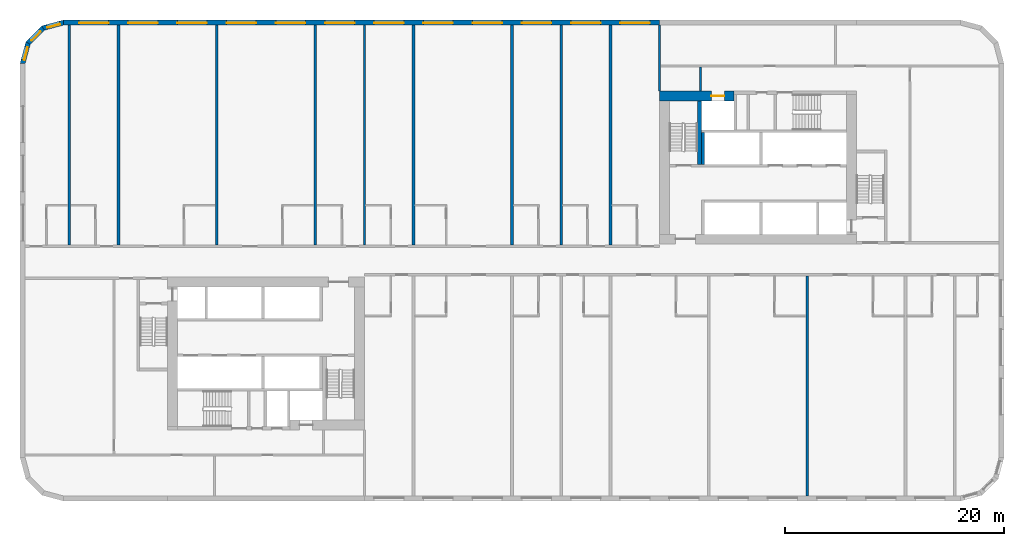
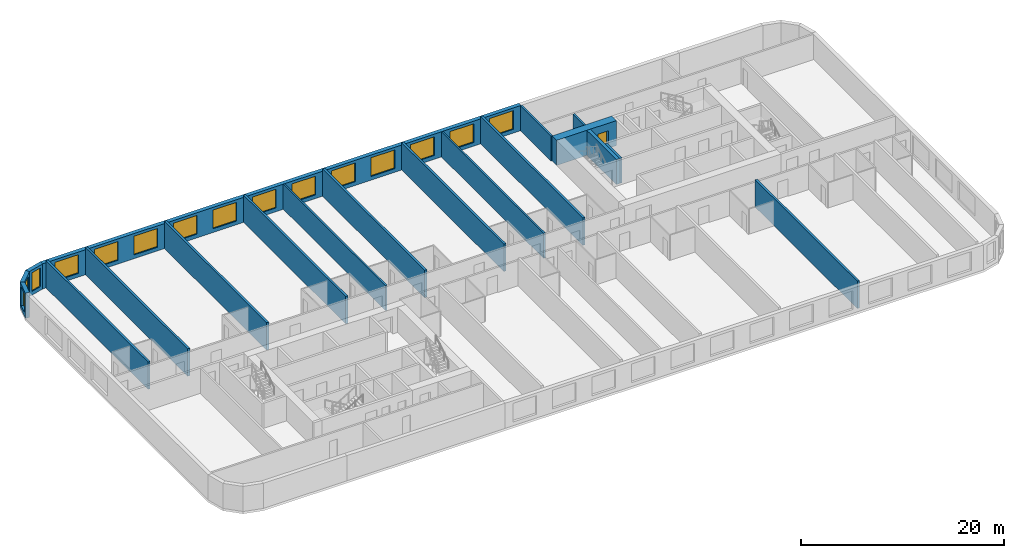
# One storey, part 6 of 12: 19 walls, 15 windows, 1 door, 16 openings.
"""IFC4 building model written with IfcOpenShell, lengths in metres."""

from ifc_helpers import new_model, si_unit, direction, frame, frame_2d, origin, place, context, subcontext, project, spatial, polyline, rectangle, outline, extrude, material, layer, layer_set, type_object, element, fill, save


model = new_model("IFC4")

# Units and contexts
model_context = context("Model", 3, precision=1e-05, world=origin(), true_north=direction((0.0, 1.0)))
body_context = subcontext(model_context, "Body", "Model", "MODEL_VIEW")
ifc_project = project(units=[si_unit("LENGTHUNIT", "METRE"), si_unit("AREAUNIT", "SQUARE_METRE"), si_unit("VOLUMEUNIT", "CUBIC_METRE"), si_unit("PLANEANGLEUNIT", "RADIAN"), si_unit("MASSUNIT", "GRAM", prefix="KILO")], contexts=[model_context])

# Site, building, storey
site_placement = place(None, origin())
site = spatial("IfcSite", under=ifc_project, at=site_placement, CompositionType="ELEMENT")
building_placement = place(site_placement, origin())
building = spatial("IfcBuilding", under=site, at=building_placement, Name="Kajstack Hotel Tower", CompositionType="ELEMENT")
storey_placement = place(building_placement, frame((0.0, 0.0, 66.60009765625)))
storey = spatial("IfcBuildingStorey", under=building, at=storey_placement, Name="L11", CompositionType="ELEMENT", Elevation=66.60009765625)

# Wall, opening, door
ifc_material_1 = material(Name="Concrete C60/75", Category="concrete")
ifc_layer_1 = layer(ifc_material_1, 0.89990234375)
ifc_layer_set_1 = layer_set([ifc_layer_1], Name="Core wall 900")
wall_type_1 = type_object("IfcWallType", Name="Core wall 900", PredefinedType="SHEAR", material=ifc_layer_set_1)
wall_1_placement = place(storey_placement, frame((13.5, 15.050048828125, 0.0), z_axis=(0.0, 0.0, 1.0), x_axis=(1.0, 0.0, 0.0)))
wall_1 = element("IfcWall", 1, at=wall_1_placement, inside=storey, type_object=wall_type_1, Name="Core wall E RS", PredefinedType="SHEAR", context=body_context, shape_type="SweptSolid", body=[
    extrude(rectangle(XDim=6.800048828125, YDim=0.89990234375, at=frame_2d((3.39990234375, 0.0))), origin(), (0.0, 0.0, 1.0), 3.02001953125),
])
opening_1_placement = place(wall_1_placement, frame((4.72509765625, 0.0, 0.0)))
opening_1 = element("IfcOpeningElement", 2, at=opening_1_placement, cuts=wall_1, Name="Opening LD-SV2", PredefinedType="OPENING", context=body_context, shape_type="SweptSolid", body=[
    extrude(rectangle(XDim=1.199951171875, YDim=2.10009765625, at=frame_2d((0.60009765625, 1.050048828125))), frame((0.0, 0.4599609375, 0.0), z_axis=(0.0, -1.0, 0.0), x_axis=(1.0, 0.0, 0.0)), (0.0, 0.0, 1.0), 0.919921875),
])
ifc_material_2 = material(Name="Stainless steel", Category="steel")
door_type = type_object("IfcDoorType", Name="Lift landing door 1200", OperationType="SLIDING_TO_LEFT", PredefinedType="DOOR", material=ifc_material_2)
door_placement = place(opening_1_placement, origin())
door = element("IfcDoor", 3, at=door_placement, inside=storey, type_object=door_type, Name="Landing door SV2", OperationType="SLIDING_TO_LEFT", OverallHeight=2.10009765625, OverallWidth=1.199951171875, PredefinedType="DOOR", context=body_context, shape_type="SweptSolid", body=[
    extrude(rectangle(XDim=1.199951171875, YDim=2.10009765625, at=frame_2d((0.60009765625, 1.050048828125))), frame((0.0, 0.02490234375, 0.0), z_axis=(0.0, -1.0, 0.0), x_axis=(1.0, 0.0, 0.0)), (0.0, 0.0, 1.0), 0.050048828125),
])
fill(opening_1, door)

# Walls
ifc_material_3 = material(Name="Twin-frame gypsum board on steel studs, mineral wool", Category="steel")
ifc_layer_2 = layer(ifc_material_3, 0.199951171875)
ifc_layer_set_2 = layer_set([ifc_layer_2], Name="Demising wall 200")
wall_type_2 = type_object("IfcWallType", Name="Demising wall 200", PredefinedType="PARTITIONING", material=ifc_layer_set_2)
wall_2_placement = place(storey_placement, frame((13.5, 15.5, 0.0), z_axis=(0.0, 0.0, 1.0), x_axis=(0.0, 1.0, 0.0)))
element("IfcWall", 4, at=wall_2_placement, inside=storey, type_object=wall_type_2, Name="G-wall-L11-001", PredefinedType="PARTITIONING", context=body_context, shape_type="SweptSolid", body=[
    extrude(rectangle(XDim=6.050048828125, YDim=0.199951171875, at=frame_2d((3.02490234375, 0.0))), origin(), (0.0, 0.0, 1.0), 3.02001953125),
])
for number, where, z_axis, x_axis, name in (
    (5, (-13.5, 1.39990234375, 0.0), (0.0, 0.0, 1.0), (0.0, 1.0, 0.0), "G-wall-L11-012"),
    (6, (4.5, 1.39990234375, 0.0), (0.0, 0.0, 1.0), (0.0, 1.0, 0.0), "G-wall-L11-019"),
):
    element("IfcWall", number, at=place(storey_placement, frame(where, z_axis=z_axis, x_axis=x_axis)), inside=storey, type_object=wall_type_2, Name=name, PredefinedType="PARTITIONING", context=body_context, shape_type="SweptSolid", body=[
        extrude(rectangle(XDim=20.150146484375, YDim=0.199951171875, at=frame_2d((10.0751953125, 0.0))), origin(), (0.0, 0.0, 1.0), 3.02001953125),
    ])

# Wall, openings, windows
ifc_material_4 = material(Name="Terracotta-faced brick masonry", Category="masonry")
ifc_layer_3 = layer(ifc_material_4, 0.449951171875)
ifc_layer_set_3 = layer_set([ifc_layer_3], Name="EW-TERRA")
wall_type_3 = type_object("IfcWallType", Name="EW-TERRA", PredefinedType="SOLIDWALL", material=ifc_layer_set_3)
wall_3_placement = place(storey_placement, frame((13.5, 21.77490234375, 0.0), z_axis=(0.0, 0.0, 1.0), x_axis=(-1.0, 0.0, 0.0)))
wall_3 = element("IfcWall", 7, at=wall_3_placement, inside=storey, type_object=wall_type_3, Name="E-wall-L11-11-02", PredefinedType="SOLIDWALL", context=body_context, shape_type="SweptSolid", body=[
    extrude(rectangle(XDim=54.5, YDim=0.449951171875, at=frame_2d((27.25, 0.0))), origin(), (0.0, 0.0, 1.0), 3.02001953125),
])
opening_2_placement = place(wall_3_placement, frame((0.89990234375, 0.0, 0.449951171875)))
opening_2 = element("IfcOpeningElement", 8, at=opening_2_placement, cuts=wall_3, Name="Opening W1", PredefinedType="OPENING", context=body_context, shape_type="SweptSolid", body=[
    extrude(rectangle(XDim=2.699951171875, YDim=2.25, at=frame_2d((1.35009765625, 1.125))), frame((0.0, 0.23486328125, 0.0), z_axis=(0.0, -1.0, 0.0), x_axis=(1.0, 0.0, 0.0)), (0.0, 0.0, 1.0), 0.469970703125),
])
opening_3_placement = place(wall_3_placement, frame((5.39990234375, 0.0, 0.449951171875)))
opening_3 = element("IfcOpeningElement", 9, at=opening_3_placement, cuts=wall_3, Name="Opening W1", PredefinedType="OPENING", context=body_context, shape_type="SweptSolid", body=[
    extrude(rectangle(XDim=2.699951171875, YDim=2.25, at=frame_2d((1.35009765625, 1.125))), frame((0.0, 0.23486328125, 0.0), z_axis=(0.0, -1.0, 0.0), x_axis=(1.0, 0.0, 0.0)), (0.0, 0.0, 1.0), 0.469970703125),
])
opening_4_placement = place(wall_3_placement, frame((9.89990234375, 0.0, 0.449951171875)))
opening_4 = element("IfcOpeningElement", 10, at=opening_4_placement, cuts=wall_3, Name="Opening W1", PredefinedType="OPENING", context=body_context, shape_type="SweptSolid", body=[
    extrude(rectangle(XDim=2.699951171875, YDim=2.25, at=frame_2d((1.35009765625, 1.125))), frame((0.0, 0.23486328125, 0.0), z_axis=(0.0, -1.0, 0.0), x_axis=(1.0, 0.0, 0.0)), (0.0, 0.0, 1.0), 0.469970703125),
])
opening_5_placement = place(wall_3_placement, frame((14.39990234375, 0.0, 0.449951171875)))
opening_5 = element("IfcOpeningElement", 11, at=opening_5_placement, cuts=wall_3, Name="Opening W1", PredefinedType="OPENING", context=body_context, shape_type="SweptSolid", body=[
    extrude(rectangle(XDim=2.699951171875, YDim=2.25, at=frame_2d((1.35009765625, 1.125))), frame((0.0, 0.23486328125, 0.0), z_axis=(0.0, -1.0, 0.0), x_axis=(1.0, 0.0, 0.0)), (0.0, 0.0, 1.0), 0.469970703125),
])
opening_6_placement = place(wall_3_placement, frame((18.89990234375, 0.0, 0.449951171875)))
opening_6 = element("IfcOpeningElement", 12, at=opening_6_placement, cuts=wall_3, Name="Opening W1", PredefinedType="OPENING", context=body_context, shape_type="SweptSolid", body=[
    extrude(rectangle(XDim=2.699951171875, YDim=2.25, at=frame_2d((1.35009765625, 1.125))), frame((0.0, 0.23486328125, 0.0), z_axis=(0.0, -1.0, 0.0), x_axis=(1.0, 0.0, 0.0)), (0.0, 0.0, 1.0), 0.469970703125),
])
opening_7_placement = place(wall_3_placement, frame((23.39990234375, 0.0, 0.449951171875)))
opening_7 = element("IfcOpeningElement", 13, at=opening_7_placement, cuts=wall_3, Name="Opening W1", PredefinedType="OPENING", context=body_context, shape_type="SweptSolid", body=[
    extrude(rectangle(XDim=2.699951171875, YDim=2.25, at=frame_2d((1.35009765625, 1.125))), frame((0.0, 0.23486328125, 0.0), z_axis=(0.0, -1.0, 0.0), x_axis=(1.0, 0.0, 0.0)), (0.0, 0.0, 1.0), 0.469970703125),
])
opening_8_placement = place(wall_3_placement, frame((27.89990234375, 0.0, 0.449951171875)))
opening_8 = element("IfcOpeningElement", 14, at=opening_8_placement, cuts=wall_3, Name="Opening W1", PredefinedType="OPENING", context=body_context, shape_type="SweptSolid", body=[
    extrude(rectangle(XDim=2.699951171875, YDim=2.25, at=frame_2d((1.35009765625, 1.125))), frame((0.0, 0.23486328125, 0.0), z_axis=(0.0, -1.0, 0.0), x_axis=(1.0, 0.0, 0.0)), (0.0, 0.0, 1.0), 0.469970703125),
])
opening_9_placement = place(wall_3_placement, frame((32.39990234375, 0.0, 0.449951171875)))
opening_9 = element("IfcOpeningElement", 15, at=opening_9_placement, cuts=wall_3, Name="Opening W1", PredefinedType="OPENING", context=body_context, shape_type="SweptSolid", body=[
    extrude(rectangle(XDim=2.699951171875, YDim=2.25, at=frame_2d((1.35009765625, 1.125))), frame((0.0, 0.23486328125, 0.0), z_axis=(0.0, -1.0, 0.0), x_axis=(1.0, 0.0, 0.0)), (0.0, 0.0, 1.0), 0.469970703125),
])
opening_10_placement = place(wall_3_placement, frame((36.89990234375, 0.0, 0.449951171875)))
opening_10 = element("IfcOpeningElement", 16, at=opening_10_placement, cuts=wall_3, Name="Opening W1", PredefinedType="OPENING", context=body_context, shape_type="SweptSolid", body=[
    extrude(rectangle(XDim=2.699951171875, YDim=2.25, at=frame_2d((1.35009765625, 1.125))), frame((0.0, 0.23486328125, 0.0), z_axis=(0.0, -1.0, 0.0), x_axis=(1.0, 0.0, 0.0)), (0.0, 0.0, 1.0), 0.469970703125),
])
opening_11_placement = place(wall_3_placement, frame((41.39990234375, 0.0, 0.449951171875)))
opening_11 = element("IfcOpeningElement", 17, at=opening_11_placement, cuts=wall_3, Name="Opening W1", PredefinedType="OPENING", context=body_context, shape_type="SweptSolid", body=[
    extrude(rectangle(XDim=2.699951171875, YDim=2.25, at=frame_2d((1.35009765625, 1.125))), frame((0.0, 0.23486328125, 0.0), z_axis=(0.0, -1.0, 0.0), x_axis=(1.0, 0.0, 0.0)), (0.0, 0.0, 1.0), 0.469970703125),
])
opening_12_placement = place(wall_3_placement, frame((45.89990234375, 0.0, 0.449951171875)))
opening_12 = element("IfcOpeningElement", 18, at=opening_12_placement, cuts=wall_3, Name="Opening W1", PredefinedType="OPENING", context=body_context, shape_type="SweptSolid", body=[
    extrude(rectangle(XDim=2.699951171875, YDim=2.25, at=frame_2d((1.35009765625, 1.125))), frame((0.0, 0.23486328125, 0.0), z_axis=(0.0, -1.0, 0.0), x_axis=(1.0, 0.0, 0.0)), (0.0, 0.0, 1.0), 0.469970703125),
])
opening_13_placement = place(wall_3_placement, frame((50.39990234375, 0.0, 0.449951171875)))
opening_13 = element("IfcOpeningElement", 19, at=opening_13_placement, cuts=wall_3, Name="Opening W1", PredefinedType="OPENING", context=body_context, shape_type="SweptSolid", body=[
    extrude(rectangle(XDim=2.699951171875, YDim=2.25, at=frame_2d((1.35009765625, 1.125))), frame((0.0, 0.23486328125, 0.0), z_axis=(0.0, -1.0, 0.0), x_axis=(1.0, 0.0, 0.0)), (0.0, 0.0, 1.0), 0.469970703125),
])
ifc_material_5 = material(Name="Timber-aluminium window, triple glazed", Category="wood")
window_type_1 = type_object("IfcWindowType", Name="WG1", PartitioningType="SINGLE_PANEL", PredefinedType="WINDOW", material=ifc_material_5)
window_1_placement = place(opening_2_placement, origin())
window_1 = element("IfcWindow", 20, at=window_1_placement, inside=storey, type_object=window_type_1, Name="Window W1 L11-11", OverallHeight=2.25, OverallWidth=2.699951171875, PartitioningType="SINGLE_PANEL", PredefinedType="WINDOW", context=body_context, shape_type="SweptSolid", body=[
    extrude(rectangle(XDim=2.699951171875, YDim=2.25, at=frame_2d((1.35009765625, 1.125))), frame((0.0, 0.090087890625, 0.0), z_axis=(0.0, -1.0, 0.0), x_axis=(1.0, 0.0, 0.0)), (0.0, 0.0, 1.0), 0.06005859375),
])
fill(opening_2, window_1)
window_2_placement = place(opening_3_placement, origin())
window_2 = element("IfcWindow", 21, at=window_2_placement, inside=storey, type_object=window_type_1, Name="Window W1 L11-11", OverallHeight=2.25, OverallWidth=2.699951171875, PartitioningType="SINGLE_PANEL", PredefinedType="WINDOW", context=body_context, shape_type="SweptSolid", body=[
    extrude(rectangle(XDim=2.699951171875, YDim=2.25, at=frame_2d((1.35009765625, 1.125))), frame((0.0, 0.090087890625, 0.0), z_axis=(0.0, -1.0, 0.0), x_axis=(1.0, 0.0, 0.0)), (0.0, 0.0, 1.0), 0.06005859375),
])
fill(opening_3, window_2)
window_3_placement = place(opening_4_placement, origin())
window_3 = element("IfcWindow", 22, at=window_3_placement, inside=storey, type_object=window_type_1, Name="Window W1 L11-11", OverallHeight=2.25, OverallWidth=2.699951171875, PartitioningType="SINGLE_PANEL", PredefinedType="WINDOW", context=body_context, shape_type="SweptSolid", body=[
    extrude(rectangle(XDim=2.699951171875, YDim=2.25, at=frame_2d((1.35009765625, 1.125))), frame((0.0, 0.090087890625, 0.0), z_axis=(0.0, -1.0, 0.0), x_axis=(1.0, 0.0, 0.0)), (0.0, 0.0, 1.0), 0.06005859375),
])
fill(opening_4, window_3)
window_4_placement = place(opening_5_placement, origin())
window_4 = element("IfcWindow", 23, at=window_4_placement, inside=storey, type_object=window_type_1, Name="Window W1 L11-11", OverallHeight=2.25, OverallWidth=2.699951171875, PartitioningType="SINGLE_PANEL", PredefinedType="WINDOW", context=body_context, shape_type="SweptSolid", body=[
    extrude(rectangle(XDim=2.699951171875, YDim=2.25, at=frame_2d((1.35009765625, 1.125))), frame((0.0, 0.090087890625, 0.0), z_axis=(0.0, -1.0, 0.0), x_axis=(1.0, 0.0, 0.0)), (0.0, 0.0, 1.0), 0.06005859375),
])
fill(opening_5, window_4)
window_5_placement = place(opening_6_placement, origin())
window_5 = element("IfcWindow", 24, at=window_5_placement, inside=storey, type_object=window_type_1, Name="Window W1 L11-11", OverallHeight=2.25, OverallWidth=2.699951171875, PartitioningType="SINGLE_PANEL", PredefinedType="WINDOW", context=body_context, shape_type="SweptSolid", body=[
    extrude(rectangle(XDim=2.699951171875, YDim=2.25, at=frame_2d((1.35009765625, 1.125))), frame((0.0, 0.090087890625, 0.0), z_axis=(0.0, -1.0, 0.0), x_axis=(1.0, 0.0, 0.0)), (0.0, 0.0, 1.0), 0.06005859375),
])
fill(opening_6, window_5)
window_6_placement = place(opening_7_placement, origin())
window_6 = element("IfcWindow", 25, at=window_6_placement, inside=storey, type_object=window_type_1, Name="Window W1 L11-11", OverallHeight=2.25, OverallWidth=2.699951171875, PartitioningType="SINGLE_PANEL", PredefinedType="WINDOW", context=body_context, shape_type="SweptSolid", body=[
    extrude(rectangle(XDim=2.699951171875, YDim=2.25, at=frame_2d((1.35009765625, 1.125))), frame((0.0, 0.090087890625, 0.0), z_axis=(0.0, -1.0, 0.0), x_axis=(1.0, 0.0, 0.0)), (0.0, 0.0, 1.0), 0.06005859375),
])
fill(opening_7, window_6)
window_7_placement = place(opening_8_placement, origin())
window_7 = element("IfcWindow", 26, at=window_7_placement, inside=storey, type_object=window_type_1, Name="Window W1 L11-11", OverallHeight=2.25, OverallWidth=2.699951171875, PartitioningType="SINGLE_PANEL", PredefinedType="WINDOW", context=body_context, shape_type="SweptSolid", body=[
    extrude(rectangle(XDim=2.699951171875, YDim=2.25, at=frame_2d((1.35009765625, 1.125))), frame((0.0, 0.090087890625, 0.0), z_axis=(0.0, -1.0, 0.0), x_axis=(1.0, 0.0, 0.0)), (0.0, 0.0, 1.0), 0.06005859375),
])
fill(opening_8, window_7)
window_8_placement = place(opening_9_placement, origin())
window_8 = element("IfcWindow", 27, at=window_8_placement, inside=storey, type_object=window_type_1, Name="Window W1 L11-11", OverallHeight=2.25, OverallWidth=2.699951171875, PartitioningType="SINGLE_PANEL", PredefinedType="WINDOW", context=body_context, shape_type="SweptSolid", body=[
    extrude(rectangle(XDim=2.699951171875, YDim=2.25, at=frame_2d((1.35009765625, 1.125))), frame((0.0, 0.090087890625, 0.0), z_axis=(0.0, -1.0, 0.0), x_axis=(1.0, 0.0, 0.0)), (0.0, 0.0, 1.0), 0.06005859375),
])
fill(opening_9, window_8)
window_9_placement = place(opening_10_placement, origin())
window_9 = element("IfcWindow", 28, at=window_9_placement, inside=storey, type_object=window_type_1, Name="Window W1 L11-11", OverallHeight=2.25, OverallWidth=2.699951171875, PartitioningType="SINGLE_PANEL", PredefinedType="WINDOW", context=body_context, shape_type="SweptSolid", body=[
    extrude(rectangle(XDim=2.699951171875, YDim=2.25, at=frame_2d((1.35009765625, 1.125))), frame((0.0, 0.090087890625, 0.0), z_axis=(0.0, -1.0, 0.0), x_axis=(1.0, 0.0, 0.0)), (0.0, 0.0, 1.0), 0.06005859375),
])
fill(opening_10, window_9)
window_10_placement = place(opening_11_placement, origin())
window_10 = element("IfcWindow", 29, at=window_10_placement, inside=storey, type_object=window_type_1, Name="Window W1 L11-11", OverallHeight=2.25, OverallWidth=2.699951171875, PartitioningType="SINGLE_PANEL", PredefinedType="WINDOW", context=body_context, shape_type="SweptSolid", body=[
    extrude(rectangle(XDim=2.699951171875, YDim=2.25, at=frame_2d((1.35009765625, 1.125))), frame((0.0, 0.090087890625, 0.0), z_axis=(0.0, -1.0, 0.0), x_axis=(1.0, 0.0, 0.0)), (0.0, 0.0, 1.0), 0.06005859375),
])
fill(opening_11, window_10)
window_11_placement = place(opening_12_placement, origin())
window_11 = element("IfcWindow", 30, at=window_11_placement, inside=storey, type_object=window_type_1, Name="Window W1 L11-11", OverallHeight=2.25, OverallWidth=2.699951171875, PartitioningType="SINGLE_PANEL", PredefinedType="WINDOW", context=body_context, shape_type="SweptSolid", body=[
    extrude(rectangle(XDim=2.699951171875, YDim=2.25, at=frame_2d((1.35009765625, 1.125))), frame((0.0, 0.090087890625, 0.0), z_axis=(0.0, -1.0, 0.0), x_axis=(1.0, 0.0, 0.0)), (0.0, 0.0, 1.0), 0.06005859375),
])
fill(opening_12, window_11)
window_12_placement = place(opening_13_placement, origin())
window_12 = element("IfcWindow", 31, at=window_12_placement, inside=storey, type_object=window_type_1, Name="Window W1 L11-11", OverallHeight=2.25, OverallWidth=2.699951171875, PartitioningType="SINGLE_PANEL", PredefinedType="WINDOW", context=body_context, shape_type="SweptSolid", body=[
    extrude(rectangle(XDim=2.699951171875, YDim=2.25, at=frame_2d((1.35009765625, 1.125))), frame((0.0, 0.090087890625, 0.0), z_axis=(0.0, -1.0, 0.0), x_axis=(1.0, 0.0, 0.0)), (0.0, 0.0, 1.0), 0.06005859375),
])
fill(opening_13, window_12)

# Wall, opening, window
wall_4_placement = place(storey_placement, frame((-40.941650390625, 21.78271484375, 0.0), z_axis=(0.0, 0.0, 1.0), x_axis=(-0.965926999034, -0.25881466832, 0.0)))
wall_4 = element("IfcWall", 32, at=wall_4_placement, inside=storey, type_object=wall_type_3, Name="E-wall-L11-12-00", PredefinedType="SOLIDWALL", context=body_context, shape_type="SweptSolid", body=[
    extrude(outline(polyline([(0.000244140625, -0.22509765625), (2.070556640625, -0.224853515625), (1.9501953125, 0.22509765625), (0.12060546875, 0.22509765625), (0.000244140625, -0.22509765625)])), origin(), (0.0, 0.0, 1.0), 3.02001953125),
])
opening_14_placement = place(wall_4_placement, frame((0.435302734375, 0.0, 0.449951171875)))
opening_14 = element("IfcOpeningElement", 33, at=opening_14_placement, cuts=wall_4, Name="Opening W3", PredefinedType="OPENING", context=body_context, shape_type="SweptSolid", body=[
    extrude(rectangle(XDim=1.199951171875, YDim=2.25, at=frame_2d((0.60009765625, 1.125))), frame((0.0, 0.23486328125, 0.0), z_axis=(0.0, -1.0, 0.0), x_axis=(1.0, 0.0, 0.0)), (0.0, 0.0, 1.0), 0.469970703125),
])
window_type_2 = type_object("IfcWindowType", Name="WG3", PartitioningType="SINGLE_PANEL", PredefinedType="WINDOW", material=ifc_material_5)
window_13_placement = place(opening_14_placement, origin())
window_13 = element("IfcWindow", 34, at=window_13_placement, inside=storey, type_object=window_type_2, Name="Window W3 L11-12", OverallHeight=2.25, OverallWidth=1.199951171875, PartitioningType="SINGLE_PANEL", PredefinedType="WINDOW", context=body_context, shape_type="SweptSolid", body=[
    extrude(rectangle(XDim=1.199951171875, YDim=2.25, at=frame_2d((0.60009765625, 1.125))), frame((0.0, 0.090087890625, 0.0), z_axis=(0.0, -1.0, 0.0), x_axis=(1.0, 0.0, 0.0)), (0.0, 0.0, 1.0), 0.06005859375),
])
fill(opening_14, window_13)

wall_5_placement = place(storey_placement, frame((-42.8408203125, 21.304931640625, 0.0), z_axis=(0.0, 0.0, 1.0), x_axis=(-0.707106781187, -0.707106781187, 0.0)))
wall_5 = element("IfcWall", 35, at=wall_5_placement, inside=storey, type_object=wall_type_3, Name="E-wall-L11-13-00", PredefinedType="SOLIDWALL", context=body_context, shape_type="SweptSolid", body=[
    extrude(outline(polyline([(0.0, -0.22509765625), (2.070556640625, -0.22509765625), (1.949951171875, 0.224853515625), (0.12060546875, 0.224853515625), (0.0, -0.22509765625)])), origin(), (0.0, 0.0, 1.0), 3.02001953125),
])
opening_15_placement = place(wall_5_placement, frame((0.435302734375, 0.0, 0.449951171875)))
opening_15 = element("IfcOpeningElement", 36, at=opening_15_placement, cuts=wall_5, Name="Opening W3", PredefinedType="OPENING", context=body_context, shape_type="SweptSolid", body=[
    extrude(rectangle(XDim=1.199951171875, YDim=2.25, at=frame_2d((0.60009765625, 1.125))), frame((0.0, 0.23486328125, 0.0), z_axis=(0.0, -1.0, 0.0), x_axis=(1.0, 0.0, 0.0)), (0.0, 0.0, 1.0), 0.469970703125),
])
window_14_placement = place(opening_15_placement, origin())
window_14 = element("IfcWindow", 37, at=window_14_placement, inside=storey, type_object=window_type_2, Name="Window W3 L11-13", OverallHeight=2.25, OverallWidth=1.199951171875, PartitioningType="SINGLE_PANEL", PredefinedType="WINDOW", context=body_context, shape_type="SweptSolid", body=[
    extrude(rectangle(XDim=1.199951171875, YDim=2.25, at=frame_2d((0.60009765625, 1.125))), frame((0.0, 0.090087890625, 0.0), z_axis=(0.0, -1.0, 0.0), x_axis=(1.0, 0.0, 0.0)), (0.0, 0.0, 1.0), 0.06005859375),
])
fill(opening_15, window_14)

wall_6_placement = place(storey_placement, frame((-44.246826171875, 19.941650390625, 0.0), z_axis=(0.0, 0.0, 1.0), x_axis=(-0.25881466832, -0.965926999034, 0.0)))
wall_6 = element("IfcWall", 38, at=wall_6_placement, inside=storey, type_object=wall_type_3, Name="E-wall-L11-14-00", PredefinedType="SOLIDWALL", context=body_context, shape_type="SweptSolid", body=[
    extrude(outline(polyline([(-0.000244140625, -0.224853515625), (2.0703125, -0.22509765625), (1.949951171875, 0.22509765625), (0.120361328125, 0.22509765625), (-0.000244140625, -0.224853515625)])), origin(), (0.0, 0.0, 1.0), 3.02001953125),
])
opening_16_placement = place(wall_6_placement, frame((0.435302734375, 0.0, 0.449951171875)))
opening_16 = element("IfcOpeningElement", 39, at=opening_16_placement, cuts=wall_6, Name="Opening W3", PredefinedType="OPENING", context=body_context, shape_type="SweptSolid", body=[
    extrude(rectangle(XDim=1.199951171875, YDim=2.25, at=frame_2d((0.60009765625, 1.125))), frame((0.0, 0.23486328125, 0.0), z_axis=(0.0, -1.0, 0.0), x_axis=(1.0, 0.0, 0.0)), (0.0, 0.0, 1.0), 0.469970703125),
])
window_15_placement = place(opening_16_placement, origin())
window_15 = element("IfcWindow", 40, at=window_15_placement, inside=storey, type_object=window_type_2, Name="Window W3 L11-14", OverallHeight=2.25, OverallWidth=1.199951171875, PartitioningType="SINGLE_PANEL", PredefinedType="WINDOW", context=body_context, shape_type="SweptSolid", body=[
    extrude(rectangle(XDim=1.199951171875, YDim=2.25, at=frame_2d((0.60009765625, 1.125))), frame((0.0, 0.090087890625, 0.0), z_axis=(0.0, -1.0, 0.0), x_axis=(1.0, 0.0, 0.0)), (0.0, 0.0, 1.0), 0.06005859375),
])
fill(opening_16, window_15)

# Walls
ifc_layer_4 = layer(ifc_material_1, 0.25)
ifc_layer_set_4 = layer_set([ifc_layer_4], Name="RC cross wall 250 C60/75")
wall_type_4 = type_object("IfcWallType", Name="RC cross wall 250 C60/75", PredefinedType="SHEAR", material=ifc_layer_set_4)
for number, where, z_axis, x_axis, name in (
    (41, (-40.5, 1.39990234375, 0.0), (0.0, 0.0, 1.0), (0.0, 1.0, 0.0), "S-wall-L11-01"),
    (42, (-36.0, 1.39990234375, 0.0), (0.0, 0.0, 1.0), (0.0, 1.0, 0.0), "S-wall-L11-02"),
    (43, (-27.0, 1.39990234375, 0.0), (0.0, 0.0, 1.0), (0.0, 1.0, 0.0), "S-wall-L11-03"),
    (44, (-18.0, 1.39990234375, 0.0), (0.0, 0.0, 1.0), (0.0, 1.0, 0.0), "S-wall-L11-04"),
    (45, (-9.0, 1.39990234375, 0.0), (0.0, 0.0, 1.0), (0.0, 1.0, 0.0), "S-wall-L11-06"),
    (46, (0.0, 1.39990234375, 0.0), (0.0, 0.0, 1.0), (0.0, 1.0, 0.0), "S-wall-L11-08"),
    (47, (9.0, 1.39990234375, 0.0), (0.0, 0.0, 1.0), (0.0, 1.0, 0.0), "S-wall-L11-10"),
    (48, (27.0, -21.5400390625, 0.0), (0.0, 0.0, 1.0), (0.0, 1.0, 0.0), "S-wall-L11-12"),
):
    element("IfcWall", number, at=place(storey_placement, frame(where, z_axis=z_axis, x_axis=x_axis)), inside=storey, type_object=wall_type_4, Name=name, PredefinedType="SHEAR", context=body_context, shape_type="SweptSolid", body=[
        extrude(rectangle(XDim=20.14013671875, YDim=0.25, at=frame_2d((10.070068359375, 0.0))), origin(), (0.0, 0.0, 1.0), 3.2998046875),
    ])
ifc_material_6 = material(Name="Gypsum board on steel studs, mineral wool", Category="steel")
ifc_layer_5 = layer(ifc_material_6, 0.199951171875)
ifc_layer_set_5 = layer_set([ifc_layer_5], Name="Service partition 200")
wall_type_5 = type_object("IfcWallType", Name="Service partition 200", PredefinedType="PARTITIONING", material=ifc_layer_set_5)
wall_7_placement = place(storey_placement, frame((17.25, 15.5, 0.0), z_axis=(0.0, 0.0, 1.0), x_axis=(0.0, 1.0, 0.0)))
element("IfcWall", 49, at=wall_7_placement, inside=storey, type_object=wall_type_5, Name="Partition E SCE", PredefinedType="PARTITIONING", context=body_context, shape_type="SweptSolid", body=[
    extrude(rectangle(XDim=2.199951171875, YDim=0.199951171875, at=frame_2d((1.10009765625, 0.0))), origin(), (0.0, 0.0, 1.0), 3.02001953125),
])
ifc_material_7 = material(Name="Concrete C50/60", Category="concrete")
ifc_layer_6 = layer(ifc_material_7, 0.25)
ifc_layer_set_6 = layer_set([ifc_layer_6], Name="Shaft wall 250")
wall_type_6 = type_object("IfcWallType", Name="Shaft wall 250", PredefinedType="SHEAR", material=ifc_layer_set_6)
wall_8_placement = place(storey_placement, frame((17.47509765625, 8.800048828125, 0.0), z_axis=(0.0, 0.0, 1.0), x_axis=(0.0, 1.0, 0.0)))
element("IfcWall", 50, at=wall_8_placement, inside=storey, type_object=wall_type_6, Name="Core wall E BE", PredefinedType="SHEAR", context=body_context, shape_type="SweptSolid", body=[
    extrude(rectangle(XDim=2.89990234375, YDim=0.25, at=frame_2d((1.449951171875, 0.0))), origin(), (0.0, 0.0, 1.0), 3.02001953125),
])
ifc_layer_7 = layer(ifc_material_7, 0.39990234375)
ifc_layer_set_7 = layer_set([ifc_layer_7], Name="Stair wall 400")
wall_type_7 = type_object("IfcWallType", Name="Stair wall 400", PredefinedType="SHEAR", material=ifc_layer_set_7)
wall_9_placement = place(storey_placement, frame((17.14990234375, 8.800048828125, 0.0), z_axis=(0.0, 0.0, 1.0), x_axis=(0.0, 1.0, 0.0)))
element("IfcWall", 51, at=wall_9_placement, inside=storey, type_object=wall_type_7, Name="Core wall E WW2", PredefinedType="SHEAR", context=body_context, shape_type="SweptSolid", body=[
    extrude(rectangle(XDim=5.800048828125, YDim=0.39990234375, at=frame_2d((2.89990234375, 0.0))), origin(), (0.0, 0.0, 1.0), 3.02001953125),
])

save(model, "model.ifc")
